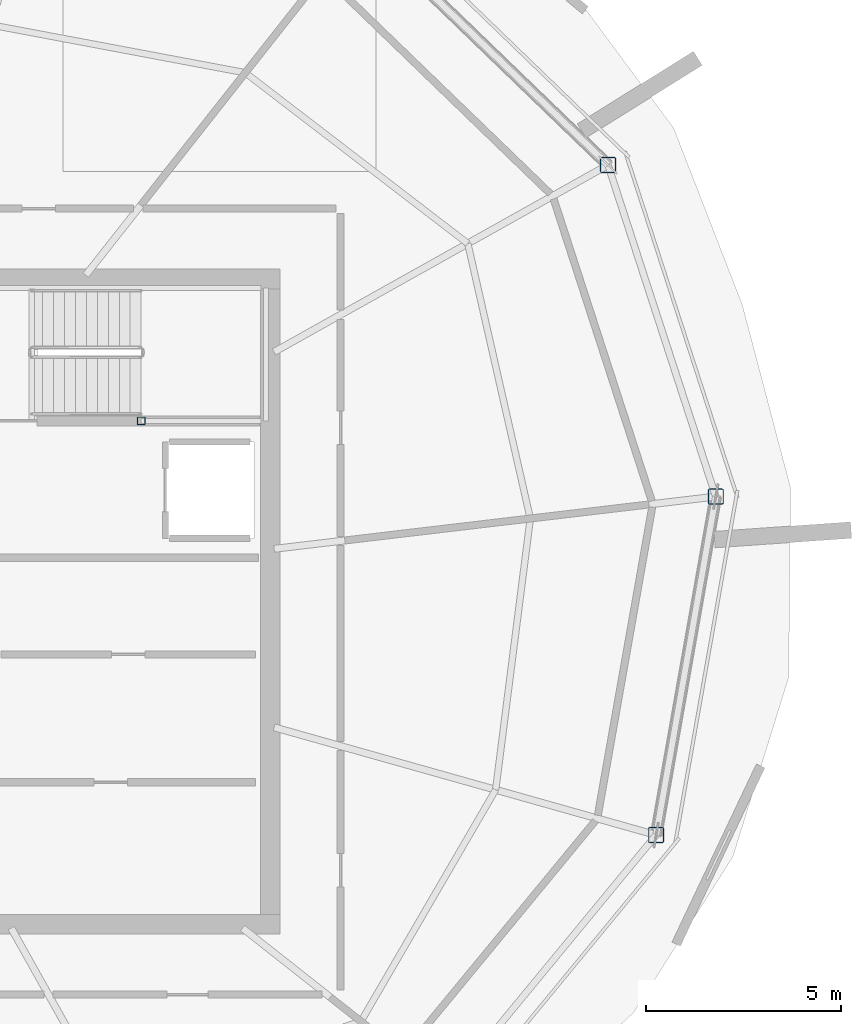
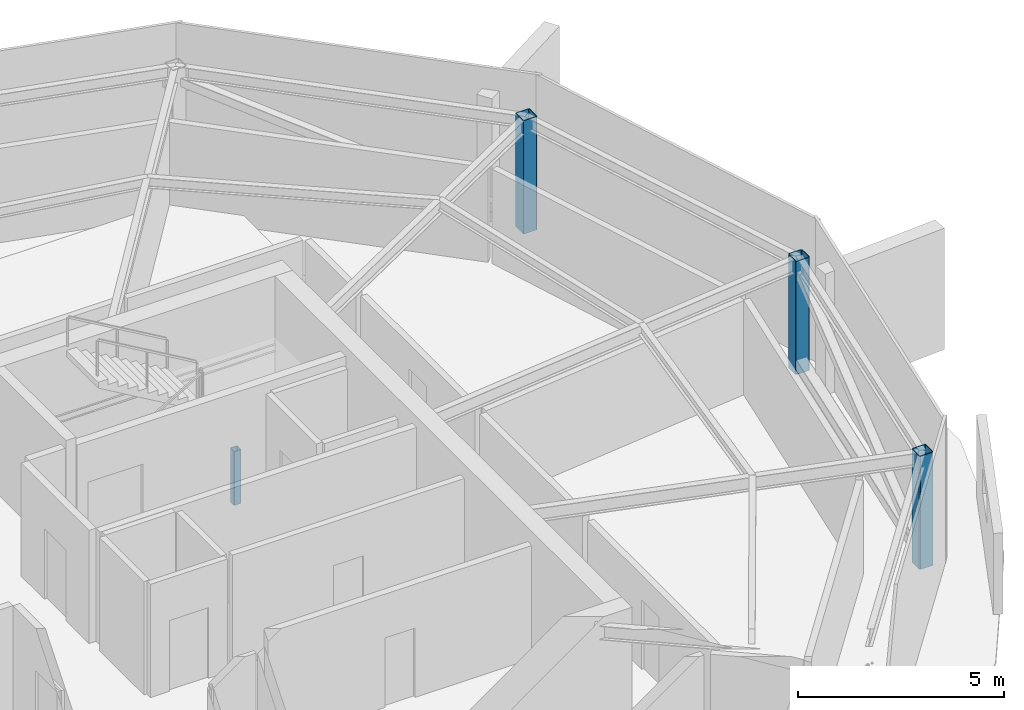
# One storey, part 3 of 10: 4 columns.
"""IFC4 building model written with IfcOpenShell, lengths in metres."""

import ifcopenshell
import ifcopenshell.guid

model = None  # the IFC model being written
_history = None  # IfcOwnerHistory: only IFC2X3 demands one
_inside = {}  # id of a spatial element -> (the spatial element, [elements in it])
_under = {}  # id of a project, library or spatial element -> (it, [spatial elements below it])
_declared = {}  # id of a project -> (the project, [libraries it declares])
_typed = {}  # id of a type object -> (the type object, [elements of that type])
_made_of = {}  # id of a material, layer set ... -> (it, [elements and type objects made of it])


def new_model(schema):
    """Start an empty IFC model of exactly this schema.

    Asked for "IFC4X3", IfcOpenShell would pick the latest addendum, in which some entities
    have other attributes; the version numbers below select the first issue.
    IFC2X3 requires an IfcOwnerHistory on every rooted entity: one is made here for all.
    """
    global model, _history
    if schema == "IFC4X3":
        model = ifcopenshell.file(schema_version=(4, 3, 0, 0))
    else:
        model = ifcopenshell.file(schema=schema)
    _inside.clear()
    _under.clear()
    _declared.clear()
    _typed.clear()
    _made_of.clear()
    _history = None
    if model.schema == "IFC2X3":
        org = make("IfcOrganization", Name="unknown")
        user = make(
            "IfcPersonAndOrganization",
            ThePerson=make("IfcPerson", FamilyName="unknown"),
            TheOrganization=org,
        )
        app = make(
            "IfcApplication",
            ApplicationDeveloper=org,
            Version="unknown",
            ApplicationFullName="unknown",
            ApplicationIdentifier="unknown",
        )
        _history = make(
            "IfcOwnerHistory",
            OwningUser=user,
            OwningApplication=app,
            ChangeAction="ADDED",
            CreationDate=0,
        )
    return model


def make(cls, **values):
    """One entity of the class cls with the attributes given. An attribute that is None is left unset."""
    return model.create_entity(
        cls, **{name: value for name, value in values.items() if value is not None}
    )


def rooted(cls, **values):
    """An entity with a GlobalId (a new one), such as an element, a storey or a relation."""
    return make(cls, GlobalId=ifcopenshell.guid.new(), OwnerHistory=_history, **values)


def si_unit(unit_type, name, prefix=None):
    """IfcSIUnit, for example si_unit("LENGTHUNIT", "METRE", prefix="MILLI")."""
    return make("IfcSIUnit", UnitType=unit_type, Prefix=prefix, Name=name)


def assignment(units):
    """IfcUnitAssignment: the units of a project."""
    return None if units is None else make("IfcUnitAssignment", Units=units)


def point(xyz):
    """IfcCartesianPoint."""
    return None if xyz is None else make("IfcCartesianPoint", Coordinates=xyz)


def direction(xyz):
    """IfcDirection."""
    return None if xyz is None else make("IfcDirection", DirectionRatios=xyz)


def frame(location, z_axis=None, x_axis=None):
    """IfcAxis2Placement3D, a coordinate frame: its origin and axes. An axis left out is left unset."""
    return make(
        "IfcAxis2Placement3D",
        Location=point(location),
        Axis=direction(z_axis),
        RefDirection=direction(x_axis),
    )


def frame_2d(location, x_axis=None):
    """IfcAxis2Placement2D, a coordinate frame in the plane: its origin and x axis."""
    return make(
        "IfcAxis2Placement2D", Location=point(location), RefDirection=direction(x_axis)
    )


def origin():
    """The frame at (0, 0, 0) with its axes left unset."""
    return frame((0.0, 0.0, 0.0))


def origin_2d():
    """The frame at (0, 0) in the plane with its x axis left unset."""
    return frame_2d((0.0, 0.0))


def place(relative_to, where):
    """IfcLocalPlacement: puts the frame where relative to a parent placement (None: the world)."""
    return make(
        "IfcLocalPlacement", PlacementRelTo=relative_to, RelativePlacement=where
    )


def context(
    kind, dimensions, precision=None, world=None, true_north=None, identifier=None
):
    """IfcGeometricRepresentationContext, for example the 3D "Model" context."""
    return make(
        "IfcGeometricRepresentationContext",
        ContextIdentifier=identifier,
        ContextType=kind,
        CoordinateSpaceDimension=dimensions,
        Precision=precision,
        WorldCoordinateSystem=world,
        TrueNorth=true_north,
    )


def subcontext(parent, identifier, kind, view, scale=None):
    """IfcGeometricRepresentationSubContext, for example "Body" below "Model"."""
    return make(
        "IfcGeometricRepresentationSubContext",
        ContextIdentifier=identifier,
        ContextType=kind,
        ParentContext=parent,
        TargetScale=scale,
        TargetView=view,
    )


def project(units=None, contexts=None):
    """IfcProject with its units and contexts."""
    return rooted(
        "IfcProject",
        Name="project",
        RepresentationContexts=contexts,
        UnitsInContext=assignment(units),
    )


def spatial(cls, under=None, at=None, **own):
    """A site, building, storey or space (cls), placed at a placement, below another one or the project."""
    s = rooted(cls, ObjectPlacement=at, **own)
    if under is not None:
        _under.setdefault(under.id(), (under, []))[1].append(s)
    return s


def profile(cls, at=None, kind="AREA", **sizes):
    """A parametric profile (cls). Its sizes go by their IFC names, for example OverallWidth=200.0."""
    return make(cls, ProfileType=kind, Position=at, **sizes)


def hollow_rectangle(**sizes):
    """IfcRectangleHollowProfileDef."""
    return profile("IfcRectangleHollowProfileDef", **sizes)


def extrude(swept, where, along, depth):
    """IfcExtrudedAreaSolid: the profile swept, set in the frame where, extruded along a direction by depth."""
    return make(
        "IfcExtrudedAreaSolid",
        SweptArea=swept,
        Position=where,
        ExtrudedDirection=direction(along),
        Depth=depth,
    )


def shape(context_of_items, identifier, shape_type, items):
    """IfcShapeRepresentation: the items that make up one representation, for example the "Body"."""
    return make(
        "IfcShapeRepresentation",
        ContextOfItems=context_of_items,
        RepresentationIdentifier=identifier,
        RepresentationType=shape_type,
        Items=items,
    )


def material(Name=None, Category=None):
    """IfcMaterial."""
    return make("IfcMaterial", Name=Name, Category=Category)


def material_profile(
    of_material, cross_section, Name=None, Category=None, Priority=None
):
    """IfcMaterialProfile: a cross section and its material."""
    return make(
        "IfcMaterialProfile",
        Name=Name,
        Material=of_material,
        Profile=cross_section,
        Priority=Priority,
        Category=Category,
    )


def profile_set(profiles, Name=None, composite=None):
    """IfcMaterialProfileSet."""
    return make(
        "IfcMaterialProfileSet",
        Name=Name,
        MaterialProfiles=profiles,
        CompositeProfile=composite,
    )


def made_of(thing, what):
    """Note that an element or type object is made of a material, layer set ...; save() writes the relation."""
    if what is not None:
        _made_of.setdefault(what.id(), (what, []))[1].append(thing)
    return thing


def type_object(cls, material=None, **own):
    """A type object (cls), such as IfcWallType, which elements share."""
    return made_of(rooted(cls, **own), material)


def element(
    cls,
    number,
    at=None,
    inside=None,
    cuts=None,
    type_object=None,
    material=None,
    context=None,
    identifier="Body",
    shape_type=None,
    held_by="IfcProductDefinitionShape",
    body=None,
    shapes=None,
    **own,
):
    """One element of the class cls, such as IfcWall. Its Tag is "e" and its number.

    at: its placement. inside: the storey or other place that contains it. cuts: it is an
    opening in that element (IfcRelVoidsElement). A single representation is given by context,
    identifier, shape_type and body (its items); several are given by shapes. held_by: the class
    of the entity that holds the representations. save() writes the other relations.
    """
    e = rooted(cls, Tag="e%d" % number, ObjectPlacement=at, **own)
    if body is not None:
        shapes = [shape(context, identifier, shape_type, body)]
    if shapes is not None:
        e.Representation = make(held_by, Representations=shapes)
    if inside is not None:
        _inside.setdefault(inside.id(), (inside, []))[1].append(e)
    if cuts is not None:
        rooted(
            "IfcRelVoidsElement", RelatingBuildingElement=cuts, RelatedOpeningElement=e
        )
    if type_object is not None:
        _typed.setdefault(type_object.id(), (type_object, []))[1].append(e)
    return made_of(e, material)


def aggregate(whole, parts):
    """IfcRelAggregates: a whole, such as a stair, and the parts it consists of."""
    return rooted("IfcRelAggregates", RelatingObject=whole, RelatedObjects=parts)


def save(model, path):
    """Write the relations noted so far, then the file.

    IfcRelAggregates (storeys below a building ...), IfcRelContainedInSpatialStructure (elements
    in a storey), IfcRelDefinesByType, IfcRelAssociatesMaterial and IfcRelDeclares: one each for
    every whole, place, type object, material and project.
    """
    for whole, parts in _under.values():
        aggregate(whole, parts)
    for where, things in _inside.values():
        rooted(
            "IfcRelContainedInSpatialStructure",
            RelatedElements=things,
            RelatingStructure=where,
        )
    for kind, things in _typed.values():
        rooted("IfcRelDefinesByType", RelatedObjects=things, RelatingType=kind)
    for what, things in _made_of.values():
        rooted("IfcRelAssociatesMaterial", RelatedObjects=things, RelatingMaterial=what)
    for by, libraries in _declared.values():
        rooted("IfcRelDeclares", RelatingContext=by, RelatedDefinitions=libraries)
    model.write(path)


model = new_model("IFC4")

# Units and contexts
model_context = context("Model", 3, precision=1e-05, world=origin(), true_north=direction((0.0, 1.0)))
body_context = subcontext(model_context, "Body", "Model", "MODEL_VIEW")
ifc_project = project(units=[si_unit("LENGTHUNIT", "METRE"), si_unit("AREAUNIT", "SQUARE_METRE"), si_unit("VOLUMEUNIT", "CUBIC_METRE"), si_unit("PLANEANGLEUNIT", "RADIAN"), si_unit("MASSUNIT", "GRAM", prefix="KILO")], contexts=[model_context])

# Site, building, storey
site_placement = place(None, origin())
site = spatial("IfcSite", under=ifc_project, at=site_placement, CompositionType="ELEMENT")
building_placement = place(site_placement, origin())
building = spatial("IfcBuilding", under=site, at=building_placement, Name="Kazma Halo Residences", CompositionType="ELEMENT")
storey_placement = place(building_placement, frame((0.0, 0.0, 374.0)))
storey = spatial("IfcBuildingStorey", under=building, at=storey_placement, Name="L94", CompositionType="ELEMENT", Elevation=374.0)

# Columns
ifc_material = material(Name="Steel S355", Category="steel")
ifc_material_profile_1 = material_profile(ifc_material, hollow_rectangle(XDim=0.39990234375, YDim=0.39990234375, WallThickness=0.02001953125, InnerFilletRadius=0.02001953125, OuterFilletRadius=0.0400390625, at=origin_2d()), Name="SHS400x400x20")
ifc_profile_set_1 = profile_set([ifc_material_profile_1], Name="Steel S355")
column_type_1 = type_object("IfcColumnType", Name="COL-CROWN-SHS400", PredefinedType="COLUMN", material=ifc_profile_set_1)
for number, where, z_axis, x_axis, name in (
    (1, (67.940673828125, 53.167236328125, 0.0), (0.0, 0.0, 1.0), (1.0, 0.0, 0.0), "L94 CROWN FRAME perimeter column P01"),
    (2, (69.169921875, 36.029541015625, 0.0), (0.0, 0.0, 1.0), (1.0, 0.0, 0.0), "L94 CROWN FRAME perimeter column P15"),
    (3, (70.6962890625, 44.686279296875, 0.0), (0.0, 0.0, 1.0), (1.0, 0.0, 0.0), "L94 CROWN FRAME perimeter column P16"),
):
    element("IfcColumn", number, at=place(storey_placement, frame(where, z_axis=z_axis, x_axis=x_axis)), inside=storey, type_object=column_type_1, Name=name, PredefinedType="COLUMN", context=body_context, shape_type="SweptSolid", body=[
        extrude(hollow_rectangle(XDim=0.39990234375, YDim=0.39990234375, WallThickness=0.02001953125, InnerFilletRadius=0.02001953125, OuterFilletRadius=0.0400390625, at=origin_2d()), origin(), (0.0, 0.0, 1.0), 3.360107421875),
    ])
ifc_material_profile_2 = material_profile(ifc_material, hollow_rectangle(XDim=0.199951171875, YDim=0.199951171875, WallThickness=0.010009765625, InnerFilletRadius=0.010009765625, OuterFilletRadius=0.02001953125, at=origin_2d()), Name="SHS200x200x10")
ifc_profile_set_2 = profile_set([ifc_material_profile_2], Name="Steel S355")
column_type_2 = type_object("IfcColumnType", Name="COL-LP-SHS200", PredefinedType="COLUMN", material=ifc_profile_set_2)
column_placement = place(storey_placement, frame((56.0, 46.6201171875, 0.0), z_axis=(0.0, 0.0, 1.0), x_axis=(1.0, 0.0, 0.0)))
element("IfcColumn", 4, at=column_placement, inside=storey, type_object=column_type_2, Name="L94 ST-02 landing pilaster 1", PredefinedType="COLUMN", context=body_context, shape_type="SweptSolid", body=[
    extrude(hollow_rectangle(XDim=0.199951171875, YDim=0.199951171875, WallThickness=0.010009765625, InnerFilletRadius=0.010009765625, OuterFilletRadius=0.02001953125, at=origin_2d()), origin(), (0.0, 0.0, 1.0), 1.594970703125),
])

save(model, "model.ifc")
